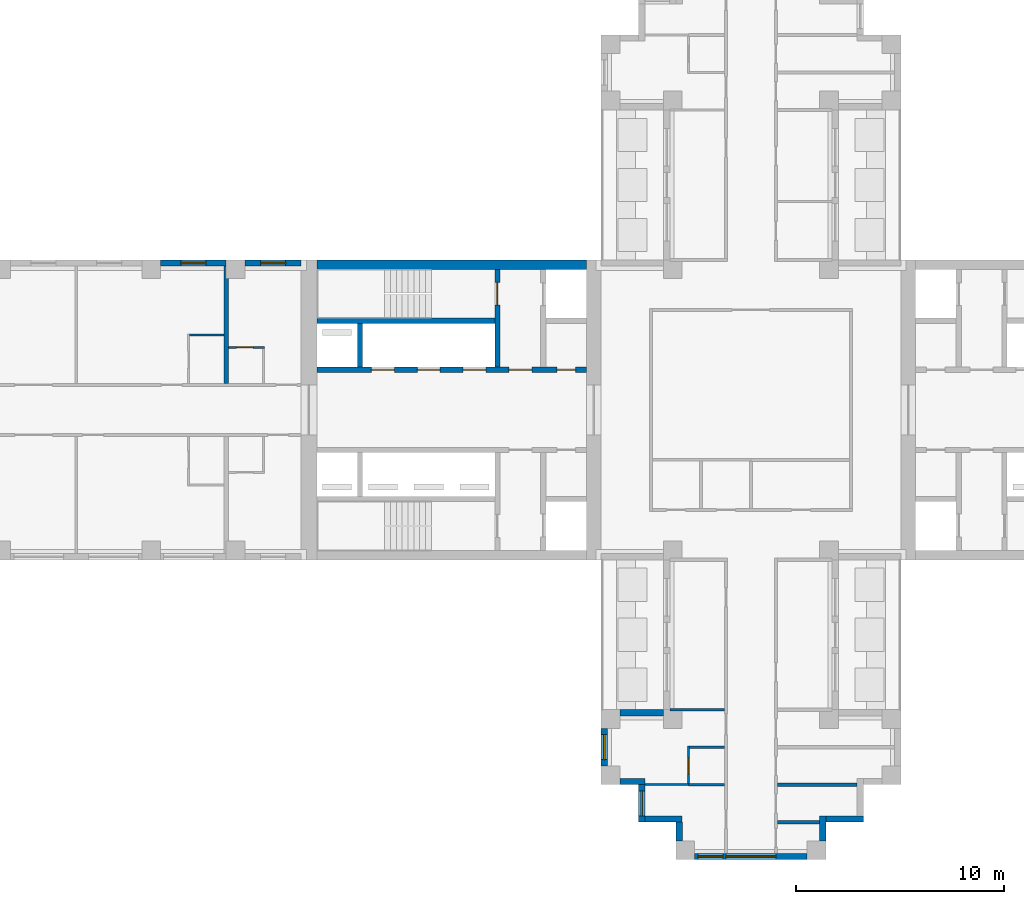
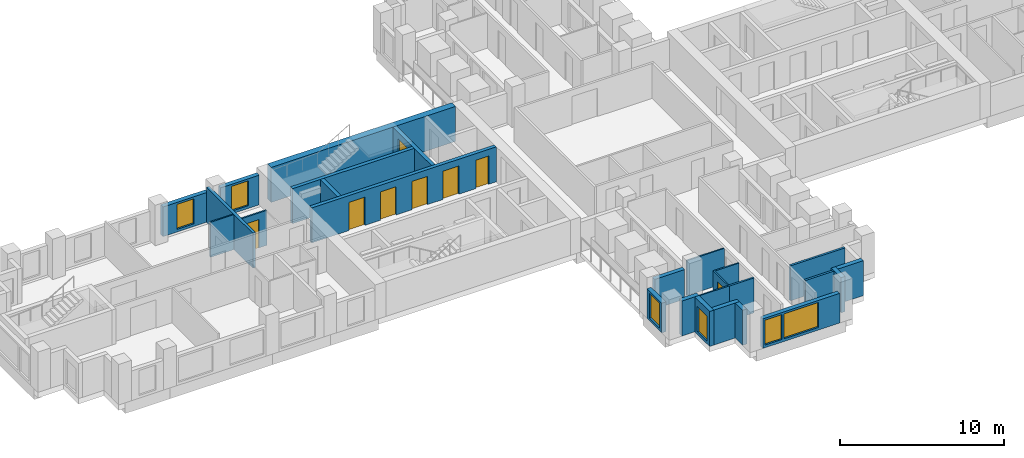
# One storey, part 4 of 11: 26 walls, 8 doors, 6 windows, 14 openings.
"""IFC4 building model written with IfcOpenShell, lengths in metres."""

from ifc_helpers import new_model, si_unit, direction, frame, frame_2d, origin, place, context, subcontext, project, spatial, rectangle, extrude, material, layer, layer_set, type_object, element, fill, save


model = new_model("IFC4")

# Units and contexts
model_context = context("Model", 3, precision=1e-05, world=origin(), true_north=direction((0.0, 1.0)))
body_context = subcontext(model_context, "Body", "Model", "MODEL_VIEW")
ifc_project = project(units=[si_unit("LENGTHUNIT", "METRE"), si_unit("AREAUNIT", "SQUARE_METRE"), si_unit("VOLUMEUNIT", "CUBIC_METRE"), si_unit("PLANEANGLEUNIT", "RADIAN"), si_unit("MASSUNIT", "GRAM", prefix="KILO")], contexts=[model_context])

# Site, building, storey
site_placement = place(None, origin())
site = spatial("IfcSite", under=ifc_project, at=site_placement, CompositionType="ELEMENT")
building_placement = place(site_placement, origin())
building = spatial("IfcBuilding", under=site, at=building_placement, Name="Fustian Cross Tower", CompositionType="ELEMENT")
storey_placement = place(building_placement, frame((0.0, 0.0, 120.300048828125)))
storey = spatial("IfcBuildingStorey", under=building, at=storey_placement, Name="L37", CompositionType="ELEMENT", Elevation=120.300048828125)

# Walls
ifc_material_1 = material(Name="Plasterboard on steel stud", Category="steel")
ifc_layer_1 = layer(ifc_material_1, 0.14990234375)
ifc_layer_set_1 = layer_set([ifc_layer_1], Name="Plasterboard on steel stud")
wall_type_1 = type_object("IfcWallType", Name="COMPARTMENT WALL 150 EI 60", PredefinedType="PARTITIONING", material=ifc_layer_set_1)
wall_1_placement = place(storey_placement, frame((1.27490234375, -19.800048828125, 0.0), z_axis=(0.0, 0.0, 1.0), x_axis=(1.0, 0.0, 0.0)))
element("IfcWall", 1, at=wall_1_placement, inside=storey, type_object=wall_type_1, Name="Partition 37", PredefinedType="PARTITIONING", context=body_context, shape_type="SweptSolid", body=[
    extrude(rectangle(XDim=2.025146484375, YDim=0.14990234375, at=frame_2d((1.0126953125, 0.0))), origin(), (0.0, 0.0, 1.0), 2.599853515625),
])
wall_2_placement = place(storey_placement, frame((1.27490234375, -18.0, 0.0), z_axis=(0.0, 0.0, 1.0), x_axis=(1.0, 0.0, 0.0)))
element("IfcWall", 2, at=wall_2_placement, inside=storey, type_object=wall_type_1, Name="Partition 38", PredefinedType="PARTITIONING", context=body_context, shape_type="SweptSolid", body=[
    extrude(rectangle(XDim=3.8251953125, YDim=0.14990234375, at=frame_2d((1.91259765625, 0.0))), origin(), (0.0, 0.0, 1.0), 2.599853515625),
])
ifc_material_2 = material(Name="Concrete C60/75", Category="concrete")
ifc_layer_2 = layer(ifc_material_2, 0.449951171875)
ifc_layer_set_2 = layer_set([ifc_layer_2], Name="Concrete C60/75")
wall_type_2 = type_object("IfcWallType", Name="CORE FACADE WALL 450 C60/75", PredefinedType="SHEAR", material=ifc_layer_set_2)
wall_3_placement = place(storey_placement, frame((-7.89990234375, 6.97509765625, 0.0), z_axis=(0.0, 0.0, 1.0), x_axis=(-1.0, 0.0, 0.0)))
element("IfcWall", 3, at=wall_3_placement, inside=storey, type_object=wall_type_2, Name="Core facade wall", PredefinedType="SHEAR", context=body_context, shape_type="SweptSolid", body=[
    extrude(rectangle(XDim=12.9501953125, YDim=0.449951171875, at=frame_2d((6.47509765625, 0.0))), origin(), (0.0, 0.0, 1.0), 2.599853515625),
])

# Wall, openings, doors
ifc_material_3 = material(Name="Concrete C50/60", Category="concrete")
ifc_layer_3 = layer(ifc_material_3, 0.25)
ifc_layer_set_3 = layer_set([ifc_layer_3], Name="Concrete C50/60")
wall_type_3 = type_object("IfcWallType", Name="CORE LOBBY WALL 250 C50/60", PredefinedType="SHEAR", material=ifc_layer_set_3)
wall_4_placement = place(storey_placement, frame((-7.89990234375, 1.925048828125, 0.0), z_axis=(0.0, 0.0, 1.0), x_axis=(-1.0, 0.0, 0.0)))
wall_4 = element("IfcWall", 4, at=wall_4_placement, inside=storey, type_object=wall_type_3, Name="Core lobby wall", PredefinedType="SHEAR", context=body_context, shape_type="SweptSolid", body=[
    extrude(rectangle(XDim=12.9501953125, YDim=0.25, at=frame_2d((6.47509765625, 0.0))), origin(), (0.0, 0.0, 1.0), 2.599853515625),
])
opening_1_placement = place(wall_4_placement, frame((4.824951171875, 0.0, 0.0)))
opening_1 = element("IfcOpeningElement", 5, at=opening_1_placement, cuts=wall_4, Name="Opening LD", PredefinedType="OPENING", context=body_context, shape_type="SweptSolid", body=[
    extrude(rectangle(XDim=1.10009765625, YDim=2.10009765625, at=frame_2d((0.550048828125, 1.050048828125))), frame((0.0, 0.135009765625, 0.0), z_axis=(0.0, -1.0, 0.0), x_axis=(1.0, 0.0, 0.0)), (0.0, 0.0, 1.0), 0.27001953125),
])
opening_2_placement = place(wall_4_placement, frame((7.02490234375, 0.0, 0.0)))
opening_2 = element("IfcOpeningElement", 6, at=opening_2_placement, cuts=wall_4, Name="Opening LD", PredefinedType="OPENING", context=body_context, shape_type="SweptSolid", body=[
    extrude(rectangle(XDim=1.10009765625, YDim=2.10009765625, at=frame_2d((0.550048828125, 1.050048828125))), frame((0.0, 0.135009765625, 0.0), z_axis=(0.0, -1.0, 0.0), x_axis=(1.0, 0.0, 0.0)), (0.0, 0.0, 1.0), 0.27001953125),
])
opening_3_placement = place(wall_4_placement, frame((9.22509765625, 0.0, 0.0)))
opening_3 = element("IfcOpeningElement", 7, at=opening_3_placement, cuts=wall_4, Name="Opening LD", PredefinedType="OPENING", context=body_context, shape_type="SweptSolid", body=[
    extrude(rectangle(XDim=1.10009765625, YDim=2.10009765625, at=frame_2d((0.550048828125, 1.050048828125))), frame((0.0, 0.135009765625, 0.0), z_axis=(0.0, -1.0, 0.0), x_axis=(1.0, 0.0, 0.0)), (0.0, 0.0, 1.0), 0.27001953125),
])
opening_4_placement = place(wall_4_placement, frame((0.52490234375, 0.0, 0.0)))
opening_4 = element("IfcOpeningElement", 8, at=opening_4_placement, cuts=wall_4, Name="Opening CD-15-21", PredefinedType="OPENING", context=body_context, shape_type="SweptSolid", body=[
    extrude(rectangle(XDim=0.89990234375, YDim=2.10009765625, at=frame_2d((0.449951171875, 1.050048828125))), frame((0.0, 0.135009765625, 0.0), z_axis=(0.0, -1.0, 0.0), x_axis=(1.0, 0.0, 0.0)), (0.0, 0.0, 1.0), 0.27001953125),
])
opening_5_placement = place(wall_4_placement, frame((2.625, 0.0, 0.0)))
opening_5 = element("IfcOpeningElement", 9, at=opening_5_placement, cuts=wall_4, Name="Opening CD-15-23", PredefinedType="OPENING", context=body_context, shape_type="SweptSolid", body=[
    extrude(rectangle(XDim=1.10009765625, YDim=2.10009765625, at=frame_2d((0.550048828125, 1.050048828125))), frame((0.0, 0.135009765625, 0.0), z_axis=(0.0, -1.0, 0.0), x_axis=(1.0, 0.0, 0.0)), (0.0, 0.0, 1.0), 0.27001953125),
])
ifc_material_4 = material(Name="Steel", Category="steel")
door_type_1 = type_object("IfcDoorType", Name="FIRE DOOR FD60S 1100X2100", OperationType="SINGLE_SWING_LEFT", PredefinedType="DOOR", material=ifc_material_4)
door_1_placement = place(opening_5_placement, frame((1.10009765625, 0.0, 0.0), z_axis=(0.0, 0.0, 1.0), x_axis=(-1.0, 0.0, 0.0)))
door_1 = element("IfcDoor", 10, at=door_1_placement, inside=storey, type_object=door_type_1, Name="Core door CD-15-23", OperationType="SINGLE_SWING_RIGHT", OverallHeight=2.10009765625, OverallWidth=1.10009765625, PredefinedType="DOOR", context=body_context, shape_type="SweptSolid", body=[
    extrude(rectangle(XDim=1.10009765625, YDim=2.10009765625, at=frame_2d((0.550048828125, 1.050048828125))), frame((0.0, 0.02490234375, 0.0), z_axis=(0.0, -1.0, 0.0), x_axis=(1.0, 0.0, 0.0)), (0.0, 0.0, 1.0), 0.050048828125),
])
fill(opening_5, door_1)
ifc_material_5 = material(Name="Steel", Category="steel")
door_type_2 = type_object("IfcDoorType", Name="FIRE DOOR FD60S 900X2100", OperationType="SINGLE_SWING_LEFT", PredefinedType="DOOR", material=ifc_material_5)
door_2_placement = place(opening_4_placement, frame((0.89990234375, 0.0, 0.0), z_axis=(0.0, 0.0, 1.0), x_axis=(-1.0, 0.0, 0.0)))
door_2 = element("IfcDoor", 11, at=door_2_placement, inside=storey, type_object=door_type_2, Name="Core door CD-15-21", OperationType="SINGLE_SWING_RIGHT", OverallHeight=2.10009765625, OverallWidth=0.89990234375, PredefinedType="DOOR", context=body_context, shape_type="SweptSolid", body=[
    extrude(rectangle(XDim=0.89990234375, YDim=2.10009765625, at=frame_2d((0.449951171875, 1.050048828125))), frame((0.0, 0.02490234375, 0.0), z_axis=(0.0, -1.0, 0.0), x_axis=(1.0, 0.0, 0.0)), (0.0, 0.0, 1.0), 0.050048828125),
])
fill(opening_4, door_2)
ifc_material_6 = material(Name="Stainless steel", Category="steel")
door_type_3 = type_object("IfcDoorType", Name="LIFT LANDING DOOR 1100X2100", OperationType="SLIDING_TO_LEFT", PredefinedType="DOOR", material=ifc_material_6)
door_3_placement = place(opening_1_placement, origin())
door_3 = element("IfcDoor", 12, at=door_3_placement, inside=storey, type_object=door_type_3, Name="Landing door HR1W", OperationType="SLIDING_TO_LEFT", OverallHeight=2.10009765625, OverallWidth=1.10009765625, PredefinedType="DOOR", context=body_context, shape_type="SweptSolid", body=[
    extrude(rectangle(XDim=1.10009765625, YDim=2.10009765625, at=frame_2d((0.550048828125, 1.050048828125))), frame((0.0, 0.02490234375, 0.0), z_axis=(0.0, -1.0, 0.0), x_axis=(1.0, 0.0, 0.0)), (0.0, 0.0, 1.0), 0.050048828125),
])
fill(opening_1, door_3)
door_4_placement = place(opening_2_placement, origin())
door_4 = element("IfcDoor", 13, at=door_4_placement, inside=storey, type_object=door_type_3, Name="Landing door HR2W", OperationType="SLIDING_TO_LEFT", OverallHeight=2.10009765625, OverallWidth=1.10009765625, PredefinedType="DOOR", context=body_context, shape_type="SweptSolid", body=[
    extrude(rectangle(XDim=1.10009765625, YDim=2.10009765625, at=frame_2d((0.550048828125, 1.050048828125))), frame((0.0, 0.02490234375, 0.0), z_axis=(0.0, -1.0, 0.0), x_axis=(1.0, 0.0, 0.0)), (0.0, 0.0, 1.0), 0.050048828125),
])
fill(opening_2, door_4)
door_5_placement = place(opening_3_placement, origin())
door_5 = element("IfcDoor", 14, at=door_5_placement, inside=storey, type_object=door_type_3, Name="Landing door HR3W", OperationType="SLIDING_TO_LEFT", OverallHeight=2.10009765625, OverallWidth=1.10009765625, PredefinedType="DOOR", context=body_context, shape_type="SweptSolid", body=[
    extrude(rectangle(XDim=1.10009765625, YDim=2.10009765625, at=frame_2d((0.550048828125, 1.050048828125))), frame((0.0, 0.02490234375, 0.0), z_axis=(0.0, -1.0, 0.0), x_axis=(1.0, 0.0, 0.0)), (0.0, 0.0, 1.0), 0.050048828125),
])
fill(opening_3, door_5)

# Wall
ifc_material_7 = material(Name="Concrete C50/60", Category="concrete")
ifc_layer_4 = layer(ifc_material_7, 0.25)
ifc_layer_set_4 = layer_set([ifc_layer_4], Name="Concrete C50/60")
wall_type_4 = type_object("IfcWallType", Name="CORE SHAFT WALL 250 C50/60", PredefinedType="SHEAR", material=ifc_layer_set_4)
wall_5_placement = place(storey_placement, frame((-12.300048828125, 4.27490234375, 0.0), z_axis=(0.0, 0.0, 1.0), x_axis=(-1.0, 0.0, 0.0)))
element("IfcWall", 15, at=wall_5_placement, inside=storey, type_object=wall_type_4, Name="Core shaft wall", PredefinedType="SHEAR", context=body_context, shape_type="SweptSolid", body=[
    extrude(rectangle(XDim=8.550048828125, YDim=0.25, at=frame_2d((4.27490234375, 0.0))), origin(), (0.0, 0.0, 1.0), 2.599853515625),
])

# Wall, opening, door
wall_6_placement = place(storey_placement, frame((-12.175048828125, 2.050048828125, 0.0), z_axis=(0.0, 0.0, 1.0), x_axis=(0.0, 1.0, 0.0)))
wall_6 = element("IfcWall", 16, at=wall_6_placement, inside=storey, type_object=wall_type_4, Name="Core shaft wall", PredefinedType="SHEAR", context=body_context, shape_type="SweptSolid", body=[
    extrude(rectangle(XDim=4.699951171875, YDim=0.25, at=frame_2d((2.35009765625, 0.0))), origin(), (0.0, 0.0, 1.0), 2.599853515625),
])
opening_6_placement = place(wall_6_placement, frame((2.97509765625, 0.0, 0.0)))
opening_6 = element("IfcOpeningElement", 17, at=opening_6_placement, cuts=wall_6, Name="Opening CD-15-19", PredefinedType="OPENING", context=body_context, shape_type="SweptSolid", body=[
    extrude(rectangle(XDim=1.10009765625, YDim=2.10009765625, at=frame_2d((0.550048828125, 1.050048828125))), frame((0.0, 0.135009765625, 0.0), z_axis=(0.0, -1.0, 0.0), x_axis=(1.0, 0.0, 0.0)), (0.0, 0.0, 1.0), 0.27001953125),
])
door_6_placement = place(opening_6_placement, origin())
door_6 = element("IfcDoor", 18, at=door_6_placement, inside=storey, type_object=door_type_1, Name="Core door CD-15-19", OperationType="SINGLE_SWING_LEFT", OverallHeight=2.10009765625, OverallWidth=1.10009765625, PredefinedType="DOOR", context=body_context, shape_type="SweptSolid", body=[
    extrude(rectangle(XDim=1.10009765625, YDim=2.10009765625, at=frame_2d((0.550048828125, 1.050048828125))), frame((0.0, 0.02490234375, 0.0), z_axis=(0.0, -1.0, 0.0), x_axis=(1.0, 0.0, 0.0)), (0.0, 0.0, 1.0), 0.050048828125),
])
fill(opening_6, door_6)

# Wall
ifc_material_8 = material(Name="Plasterboard on steel stud", Category="steel")
ifc_layer_5 = layer(ifc_material_8, 0.10009765625)
ifc_layer_set_5 = layer_set([ifc_layer_5], Name="Plasterboard on steel stud")
wall_type_5 = type_object("IfcWallType", Name="PARTITION 100 STUD", PredefinedType="PARTITIONING", material=ifc_layer_set_5)
wall_7_placement = place(storey_placement, frame((-26.949951171875, 3.60009765625, 0.0), z_axis=(0.0, 0.0, 1.0), x_axis=(1.0, 0.0, 0.0)))
element("IfcWall", 19, at=wall_7_placement, inside=storey, type_object=wall_type_5, Name="Partition 8", PredefinedType="PARTITIONING", context=body_context, shape_type="SweptSolid", body=[
    extrude(rectangle(XDim=1.64990234375, YDim=0.10009765625, at=frame_2d((0.824951171875, 0.0))), origin(), (0.0, 0.0, 1.0), 2.599853515625),
])

# Wall, opening, door
wall_8_placement = place(storey_placement, frame((-25.10009765625, 3.0, 0.0), z_axis=(0.0, 0.0, 1.0), x_axis=(1.0, 0.0, 0.0)))
wall_8 = element("IfcWall", 20, at=wall_8_placement, inside=storey, type_object=wall_type_5, Name="Partition 12", PredefinedType="PARTITIONING", context=body_context, shape_type="SweptSolid", body=[
    extrude(rectangle(XDim=1.75, YDim=0.10009765625, at=frame_2d((0.875, 0.0))), origin(), (0.0, 0.0, 1.0), 2.599853515625),
])
opening_7_placement = place(wall_8_placement, frame((0.39990234375, 0.0, 0.0)))
opening_7 = element("IfcOpeningElement", 21, at=opening_7_placement, cuts=wall_8, Name="Opening D18028", PredefinedType="OPENING", context=body_context, shape_type="SweptSolid", body=[
    extrude(rectangle(XDim=0.800048828125, YDim=2.10009765625, at=frame_2d((0.39990234375, 1.050048828125))), frame((0.0, 0.06005859375, 0.0), z_axis=(0.0, -1.0, 0.0), x_axis=(1.0, 0.0, 0.0)), (0.0, 0.0, 1.0), 0.1201171875),
])
ifc_material_9 = material(Name="Painted timber", Category="wood")
door_type_4 = type_object("IfcDoorType", Name="SWING DOOR 800", OperationType="SINGLE_SWING_LEFT", PredefinedType="DOOR", material=ifc_material_9)
door_7_placement = place(opening_7_placement, frame((0.800048828125, 0.0, 0.0), z_axis=(0.0, 0.0, 1.0), x_axis=(-1.0, 0.0, 0.0)))
door_7 = element("IfcDoor", 22, at=door_7_placement, inside=storey, type_object=door_type_4, Name="Door D18028", OperationType="SINGLE_SWING_LEFT", OverallHeight=2.10009765625, OverallWidth=0.800048828125, PredefinedType="DOOR", context=body_context, shape_type="SweptSolid", body=[
    extrude(rectangle(XDim=0.800048828125, YDim=2.10009765625, at=frame_2d((0.39990234375, 1.050048828125))), frame((0.0, 0.02490234375, 0.0), z_axis=(0.0, -1.0, 0.0), x_axis=(1.0, 0.0, 0.0)), (0.0, 0.0, 1.0), 0.050048828125),
])
fill(opening_7, door_7)

# Walls
wall_9_placement = place(storey_placement, frame((-5.10009765625, -18.0, 0.0), z_axis=(0.0, 0.0, 1.0), x_axis=(1.0, 0.0, 0.0)))
element("IfcWall", 23, at=wall_9_placement, inside=storey, type_object=wall_type_5, Name="Partition 15", PredefinedType="PARTITIONING", context=body_context, shape_type="SweptSolid", body=[
    extrude(rectangle(XDim=2.10009765625, YDim=0.10009765625, at=frame_2d((1.050048828125, 0.0))), origin(), (0.0, 0.0, 1.0), 2.599853515625),
])
wall_10_placement = place(storey_placement, frame((-3.89990234375, -14.39990234375, 0.0), z_axis=(0.0, 0.0, 1.0), x_axis=(1.0, 0.0, 0.0)))
element("IfcWall", 24, at=wall_10_placement, inside=storey, type_object=wall_type_5, Name="Partition 21", PredefinedType="PARTITIONING", context=body_context, shape_type="SweptSolid", body=[
    extrude(rectangle(XDim=2.625, YDim=0.10009765625, at=frame_2d((1.3125, 0.0))), origin(), (0.0, 0.0, 1.0), 2.599853515625),
])

# Wall, opening, door
wall_11_placement = place(storey_placement, frame((-3.0, -17.9375, 0.0), z_axis=(0.0, 0.0, 1.0), x_axis=(0.0, 1.0, 0.0)))
wall_11 = element("IfcWall", 25, at=wall_11_placement, inside=storey, type_object=wall_type_5, Name="Partition 25", PredefinedType="PARTITIONING", context=body_context, shape_type="SweptSolid", body=[
    extrude(rectangle(XDim=1.78759765625, YDim=0.10009765625, at=frame_2d((0.893798828125, 0.0))), origin(), (0.0, 0.0, 1.0), 2.599853515625),
])
opening_8_placement = place(wall_11_placement, frame((0.4375, 0.0, 0.0)))
opening_8 = element("IfcOpeningElement", 26, at=opening_8_placement, cuts=wall_11, Name="Opening D18039", PredefinedType="OPENING", context=body_context, shape_type="SweptSolid", body=[
    extrude(rectangle(XDim=0.800048828125, YDim=2.10009765625, at=frame_2d((0.39990234375, 1.050048828125))), frame((0.0, 0.06005859375, 0.0), z_axis=(0.0, -1.0, 0.0), x_axis=(1.0, 0.0, 0.0)), (0.0, 0.0, 1.0), 0.1201171875),
])
door_8_placement = place(opening_8_placement, frame((0.800048828125, 0.0, 0.0), z_axis=(0.0, 0.0, 1.0), x_axis=(-1.0, 0.0, 0.0)))
door_8 = element("IfcDoor", 27, at=door_8_placement, inside=storey, type_object=door_type_4, Name="Door D18039", OperationType="SINGLE_SWING_LEFT", OverallHeight=2.10009765625, OverallWidth=0.800048828125, PredefinedType="DOOR", context=body_context, shape_type="SweptSolid", body=[
    extrude(rectangle(XDim=0.800048828125, YDim=2.10009765625, at=frame_2d((0.39990234375, 1.050048828125))), frame((0.0, 0.02490234375, 0.0), z_axis=(0.0, -1.0, 0.0), x_axis=(1.0, 0.0, 0.0)), (0.0, 0.0, 1.0), 0.050048828125),
])
fill(opening_8, door_8)

# Walls
wall_12_placement = place(storey_placement, frame((-2.949951171875, -16.199951171875, 0.0), z_axis=(0.0, 0.0, 1.0), x_axis=(1.0, 0.0, 0.0)))
element("IfcWall", 28, at=wall_12_placement, inside=storey, type_object=wall_type_5, Name="Partition 27", PredefinedType="PARTITIONING", context=body_context, shape_type="SweptSolid", body=[
    extrude(rectangle(XDim=1.675048828125, YDim=0.10009765625, at=frame_2d((0.83740234375, 0.0))), origin(), (0.0, 0.0, 1.0), 2.599853515625),
])
ifc_material_10 = material(Name="Plasterboard on steel stud", Category="steel")
ifc_layer_6 = layer(ifc_material_10, 0.199951171875)
ifc_layer_set_6 = layer_set([ifc_layer_6], Name="Plasterboard on steel stud")
wall_type_6 = type_object("IfcWallType", Name="PARTY WALL 200 EI 60", PredefinedType="PARTITIONING", material=ifc_layer_set_6)
wall_13_placement = place(storey_placement, frame((-25.199951171875, 1.27490234375, 0.0), z_axis=(0.0, 0.0, 1.0), x_axis=(0.0, 1.0, 0.0)))
element("IfcWall", 29, at=wall_13_placement, inside=storey, type_object=wall_type_6, Name="Partition 11", PredefinedType="PARTITIONING", context=body_context, shape_type="SweptSolid", body=[
    extrude(rectangle(XDim=5.625, YDim=0.199951171875, at=frame_2d((2.8125, 0.0))), origin(), (0.0, 0.0, 1.0), 2.599853515625),
])
ifc_material_11 = material(Name="Concrete C40/50", Category="concrete")
ifc_layer_7 = layer(ifc_material_11, 0.25)
ifc_layer_set_7 = layer_set([ifc_layer_7], Name="Concrete C40/50")
wall_type_7 = type_object("IfcWallType", Name="SHAFT PARTITION WALL 250 C40/50", PredefinedType="PARTITIONING", material=ifc_layer_set_7)
wall_14_placement = place(storey_placement, frame((-18.77490234375, 2.050048828125, 0.0), z_axis=(0.0, 0.0, 1.0), x_axis=(0.0, 1.0, 0.0)))
element("IfcWall", 30, at=wall_14_placement, inside=storey, type_object=wall_type_7, Name="Core shaft wall", PredefinedType="PARTITIONING", context=body_context, shape_type="SweptSolid", body=[
    extrude(rectangle(XDim=2.099853515625, YDim=0.25, at=frame_2d((1.0498046875, 0.0))), origin(), (0.0, 0.0, 1.0), 2.599853515625),
])
ifc_material_12 = material(Name="Plasterboard on steel stud", Category="steel")
ifc_layer_8 = layer(ifc_material_12, 0.125)
ifc_layer_set_8 = layer_set([ifc_layer_8], Name="Plasterboard on steel stud")
wall_type_8 = type_object("IfcWallType", Name="WET WALL 125 STUD", PredefinedType="PARTITIONING", material=ifc_layer_set_8)
wall_15_placement = place(storey_placement, frame((-3.0, -18.0, 0.0), z_axis=(0.0, 0.0, 1.0), x_axis=(1.0, 0.0, 0.0)))
element("IfcWall", 31, at=wall_15_placement, inside=storey, type_object=wall_type_8, Name="Partition 26", PredefinedType="PARTITIONING", context=body_context, shape_type="SweptSolid", body=[
    extrude(rectangle(XDim=1.72509765625, YDim=0.125, at=frame_2d((0.862548828125, 0.0))), origin(), (0.0, 0.0, 1.0), 2.599853515625),
])

# Wall, opening, window
ifc_material_13 = material(Name="Dark aluminium cladding on insulated backing wall", Category="aluminium")
ifc_layer_9 = layer(ifc_material_13, 0.300048828125)
ifc_layer_set_9 = layer_set([ifc_layer_9], Name="Dark aluminium cladding on insulated backing wall")
wall_type_9 = type_object("IfcWallType", Name="XW1 EXTERNAL WALL 300", PredefinedType="SOLIDWALL", material=ifc_layer_set_9)
wall_16_placement = place(storey_placement, frame((-21.60009765625, 7.050048828125, 0.0), z_axis=(0.0, 0.0, 1.0), x_axis=(-1.0, 0.0, 0.0)))
wall_16 = element("IfcWall", 32, at=wall_16_placement, inside=storey, type_object=wall_type_9, Name="External wall", PredefinedType="SOLIDWALL", context=body_context, shape_type="SweptSolid", body=[
    extrude(rectangle(XDim=2.699951171875, YDim=0.300048828125, at=frame_2d((1.35009765625, 0.0))), origin(), (0.0, 0.0, 1.0), 2.199951171875),
])
opening_9_placement = place(wall_16_placement, frame((0.75, 0.0, 0.199951171875)))
opening_9 = element("IfcOpeningElement", 33, at=opening_9_placement, cuts=wall_16, Name="Opening WN3", PredefinedType="OPENING", context=body_context, shape_type="SweptSolid", body=[
    extrude(rectangle(XDim=1.199951171875, YDim=1.85009765625, at=frame_2d((0.60009765625, 0.925048828125))), frame((0.0, 0.159912109375, 0.0), z_axis=(0.0, -1.0, 0.0), x_axis=(1.0, 0.0, 0.0)), (0.0, 0.0, 1.0), 0.320068359375),
])
ifc_material_14 = material(Name="Dark anodised aluminium and double glazing", Category="aluminium")
window_type_1 = type_object("IfcWindowType", Name="WN3 WINDOW 1200X1850", PartitioningType="SINGLE_PANEL", PredefinedType="WINDOW", material=ifc_material_14)
window_1_placement = place(opening_9_placement, origin())
window_1 = element("IfcWindow", 34, at=window_1_placement, inside=storey, type_object=window_type_1, Name="Window", OverallHeight=1.85009765625, OverallWidth=1.199951171875, PartitioningType="SINGLE_PANEL", PredefinedType="WINDOW", context=body_context, shape_type="SweptSolid", body=[
    extrude(rectangle(XDim=1.199951171875, YDim=1.85009765625, at=frame_2d((0.60009765625, 0.925048828125))), frame((0.0, 0.030029296875, 0.0), z_axis=(0.0, -1.0, 0.0), x_axis=(1.0, 0.0, 0.0)), (0.0, 0.0, 1.0), 0.06005859375),
])
fill(opening_9, window_1)

wall_17_placement = place(storey_placement, frame((-25.199951171875, 7.050048828125, 0.0), z_axis=(0.0, 0.0, 1.0), x_axis=(-1.0, 0.0, 0.0)))
wall_17 = element("IfcWall", 35, at=wall_17_placement, inside=storey, type_object=wall_type_9, Name="External wall", PredefinedType="SOLIDWALL", context=body_context, shape_type="SweptSolid", body=[
    extrude(rectangle(XDim=3.150146484375, YDim=0.300048828125, at=frame_2d((1.5751953125, 0.0))), origin(), (0.0, 0.0, 1.0), 2.199951171875),
])
opening_10_placement = place(wall_17_placement, frame((0.97509765625, 0.0, 0.199951171875)))
opening_10 = element("IfcOpeningElement", 36, at=opening_10_placement, cuts=wall_17, Name="Opening WN3", PredefinedType="OPENING", context=body_context, shape_type="SweptSolid", body=[
    extrude(rectangle(XDim=1.199951171875, YDim=1.85009765625, at=frame_2d((0.60009765625, 0.925048828125))), frame((0.0, 0.159912109375, 0.0), z_axis=(0.0, -1.0, 0.0), x_axis=(1.0, 0.0, 0.0)), (0.0, 0.0, 1.0), 0.320068359375),
])
window_2_placement = place(opening_10_placement, origin())
window_2 = element("IfcWindow", 37, at=window_2_placement, inside=storey, type_object=window_type_1, Name="Window", OverallHeight=1.85009765625, OverallWidth=1.199951171875, PartitioningType="SINGLE_PANEL", PredefinedType="WINDOW", context=body_context, shape_type="SweptSolid", body=[
    extrude(rectangle(XDim=1.199951171875, YDim=1.85009765625, at=frame_2d((0.60009765625, 0.925048828125))), frame((0.0, 0.030029296875, 0.0), z_axis=(0.0, -1.0, 0.0), x_axis=(1.0, 0.0, 0.0)), (0.0, 0.0, 1.0), 0.06005859375),
])
fill(opening_10, window_2)

# Wall
wall_18_placement = place(storey_placement, frame((-4.199951171875, -14.550048828125, 0.0), z_axis=(0.0, 0.0, 1.0), x_axis=(-1.0, 0.0, 0.0)))
element("IfcWall", 38, at=wall_18_placement, inside=storey, type_object=wall_type_9, Name="External wall", PredefinedType="SOLIDWALL", context=body_context, shape_type="SweptSolid", body=[
    extrude(rectangle(XDim=2.10009765625, YDim=0.300048828125, at=frame_2d((1.050048828125, 0.0))), origin(), (0.0, 0.0, 1.0), 2.199951171875),
])

# Wall, opening, window
wall_19_placement = place(storey_placement, frame((-7.050048828125, -15.300048828125, 0.0), z_axis=(0.0, 0.0, 1.0), x_axis=(0.0, -1.0, 0.0)))
wall_19 = element("IfcWall", 39, at=wall_19_placement, inside=storey, type_object=wall_type_9, Name="External wall", PredefinedType="SOLIDWALL", context=body_context, shape_type="SweptSolid", body=[
    extrude(rectangle(XDim=1.800048828125, YDim=0.300048828125, at=frame_2d((0.89990234375, 0.0))), origin(), (0.0, 0.0, 1.0), 2.199951171875),
])
opening_11_placement = place(wall_19_placement, frame((0.300048828125, 0.0, 0.199951171875)))
opening_11 = element("IfcOpeningElement", 40, at=opening_11_placement, cuts=wall_19, Name="Opening WN3", PredefinedType="OPENING", context=body_context, shape_type="SweptSolid", body=[
    extrude(rectangle(XDim=1.199951171875, YDim=1.85009765625, at=frame_2d((0.60009765625, 0.925048828125))), frame((0.0, 0.159912109375, 0.0), z_axis=(0.0, -1.0, 0.0), x_axis=(1.0, 0.0, 0.0)), (0.0, 0.0, 1.0), 0.320068359375),
])
window_3_placement = place(opening_11_placement, origin())
window_3 = element("IfcWindow", 41, at=window_3_placement, inside=storey, type_object=window_type_1, Name="Window", OverallHeight=1.85009765625, OverallWidth=1.199951171875, PartitioningType="SINGLE_PANEL", PredefinedType="WINDOW", context=body_context, shape_type="SweptSolid", body=[
    extrude(rectangle(XDim=1.199951171875, YDim=1.85009765625, at=frame_2d((0.60009765625, 0.925048828125))), frame((0.0, 0.030029296875, 0.0), z_axis=(0.0, -1.0, 0.0), x_axis=(1.0, 0.0, 0.0)), (0.0, 0.0, 1.0), 0.06005859375),
])
fill(opening_11, window_3)

# Wall
wall_20_placement = place(storey_placement, frame((-6.300048828125, -17.85009765625, 0.0), z_axis=(0.0, 0.0, 1.0), x_axis=(1.0, 0.0, 0.0)))
element("IfcWall", 42, at=wall_20_placement, inside=storey, type_object=wall_type_9, Name="External wall", PredefinedType="SOLIDWALL", context=body_context, shape_type="SweptSolid", body=[
    extrude(rectangle(XDim=1.199951171875, YDim=0.300048828125, at=frame_2d((0.60009765625, 0.0))), origin(), (0.0, 0.0, 1.0), 2.599853515625),
])

# Wall, opening, window
wall_21_placement = place(storey_placement, frame((-5.25, -18.0, 0.0), z_axis=(0.0, 0.0, 1.0), x_axis=(0.0, -1.0, 0.0)))
wall_21 = element("IfcWall", 43, at=wall_21_placement, inside=storey, type_object=wall_type_9, Name="External wall", PredefinedType="SOLIDWALL", context=body_context, shape_type="SweptSolid", body=[
    extrude(rectangle(XDim=1.800048828125, YDim=0.300048828125, at=frame_2d((0.89990234375, 0.0))), origin(), (0.0, 0.0, 1.0), 2.599853515625),
])
opening_12_placement = place(wall_21_placement, frame((0.300048828125, 0.0, 0.199951171875)))
opening_12 = element("IfcOpeningElement", 44, at=opening_12_placement, cuts=wall_21, Name="Opening WN3", PredefinedType="OPENING", context=body_context, shape_type="SweptSolid", body=[
    extrude(rectangle(XDim=1.199951171875, YDim=1.85009765625, at=frame_2d((0.60009765625, 0.925048828125))), frame((0.0, 0.159912109375, 0.0), z_axis=(0.0, -1.0, 0.0), x_axis=(1.0, 0.0, 0.0)), (0.0, 0.0, 1.0), 0.320068359375),
])
window_4_placement = place(opening_12_placement, origin())
window_4 = element("IfcWindow", 45, at=window_4_placement, inside=storey, type_object=window_type_1, Name="Window", OverallHeight=1.85009765625, OverallWidth=1.199951171875, PartitioningType="SINGLE_PANEL", PredefinedType="WINDOW", context=body_context, shape_type="SweptSolid", body=[
    extrude(rectangle(XDim=1.199951171875, YDim=1.85009765625, at=frame_2d((0.60009765625, 0.925048828125))), frame((0.0, 0.030029296875, 0.0), z_axis=(0.0, -1.0, 0.0), x_axis=(1.0, 0.0, 0.0)), (0.0, 0.0, 1.0), 0.06005859375),
])
fill(opening_12, window_4)

# Walls
wall_22_placement = place(storey_placement, frame((-5.10009765625, -19.64990234375, 0.0), z_axis=(0.0, 0.0, 1.0), x_axis=(1.0, 0.0, 0.0)))
element("IfcWall", 46, at=wall_22_placement, inside=storey, type_object=wall_type_9, Name="External wall", PredefinedType="SOLIDWALL", context=body_context, shape_type="SweptSolid", body=[
    extrude(rectangle(XDim=1.800048828125, YDim=0.300048828125, at=frame_2d((0.89990234375, 0.0))), origin(), (0.0, 0.0, 1.0), 2.599853515625),
])
wall_23_placement = place(storey_placement, frame((-3.449951171875, -19.800048828125, 0.0), z_axis=(0.0, 0.0, 1.0), x_axis=(0.0, -1.0, 0.0)))
element("IfcWall", 47, at=wall_23_placement, inside=storey, type_object=wall_type_9, Name="External wall", PredefinedType="SOLIDWALL", context=body_context, shape_type="SweptSolid", body=[
    extrude(rectangle(XDim=0.89990234375, YDim=0.300048828125, at=frame_2d((0.449951171875, 0.0))), origin(), (0.0, 0.0, 1.0), 2.599853515625),
])

# Wall, openings, windows
wall_24_placement = place(storey_placement, frame((-2.699951171875, -21.449951171875, 0.0), z_axis=(0.0, 0.0, 1.0), x_axis=(1.0, 0.0, 0.0)))
wall_24 = element("IfcWall", 48, at=wall_24_placement, inside=storey, type_object=wall_type_9, Name="External wall", PredefinedType="SOLIDWALL", context=body_context, shape_type="SweptSolid", body=[
    extrude(rectangle(XDim=5.39990234375, YDim=0.300048828125, at=frame_2d((2.699951171875, 0.0))), origin(), (0.0, 0.0, 1.0), 2.199951171875),
])
opening_13_placement = place(wall_24_placement, frame((1.5, 0.0, 0.199951171875)))
opening_13 = element("IfcOpeningElement", 49, at=opening_13_placement, cuts=wall_24, Name="Opening WN1", PredefinedType="OPENING", context=body_context, shape_type="SweptSolid", body=[
    extrude(rectangle(XDim=2.39990234375, YDim=1.85009765625, at=frame_2d((1.199951171875, 0.925048828125))), frame((0.0, 0.159912109375, 0.0), z_axis=(0.0, -1.0, 0.0), x_axis=(1.0, 0.0, 0.0)), (0.0, 0.0, 1.0), 0.320068359375),
])
opening_14_placement = place(wall_24_placement, frame((0.14990234375, 0.0, 0.199951171875)))
opening_14 = element("IfcOpeningElement", 50, at=opening_14_placement, cuts=wall_24, Name="Opening WN3", PredefinedType="OPENING", context=body_context, shape_type="SweptSolid", body=[
    extrude(rectangle(XDim=1.199951171875, YDim=1.85009765625, at=frame_2d((0.60009765625, 0.925048828125))), frame((0.0, 0.159912109375, 0.0), z_axis=(0.0, -1.0, 0.0), x_axis=(1.0, 0.0, 0.0)), (0.0, 0.0, 1.0), 0.320068359375),
])
ifc_material_15 = material(Name="Dark anodised aluminium and double glazing", Category="aluminium")
window_type_2 = type_object("IfcWindowType", Name="WN1 WINDOW 2400X1850", PartitioningType="SINGLE_PANEL", PredefinedType="WINDOW", material=ifc_material_15)
window_5_placement = place(opening_13_placement, origin())
window_5 = element("IfcWindow", 51, at=window_5_placement, inside=storey, type_object=window_type_2, Name="Window", OverallHeight=1.85009765625, OverallWidth=2.39990234375, PartitioningType="SINGLE_PANEL", PredefinedType="WINDOW", context=body_context, shape_type="SweptSolid", body=[
    extrude(rectangle(XDim=2.39990234375, YDim=1.85009765625, at=frame_2d((1.199951171875, 0.925048828125))), frame((0.0, 0.030029296875, 0.0), z_axis=(0.0, -1.0, 0.0), x_axis=(1.0, 0.0, 0.0)), (0.0, 0.0, 1.0), 0.06005859375),
])
fill(opening_13, window_5)
window_6_placement = place(opening_14_placement, origin())
window_6 = element("IfcWindow", 52, at=window_6_placement, inside=storey, type_object=window_type_1, Name="Window", OverallHeight=1.85009765625, OverallWidth=1.199951171875, PartitioningType="SINGLE_PANEL", PredefinedType="WINDOW", context=body_context, shape_type="SweptSolid", body=[
    extrude(rectangle(XDim=1.199951171875, YDim=1.85009765625, at=frame_2d((0.60009765625, 0.925048828125))), frame((0.0, 0.030029296875, 0.0), z_axis=(0.0, -1.0, 0.0), x_axis=(1.0, 0.0, 0.0)), (0.0, 0.0, 1.0), 0.06005859375),
])
fill(opening_14, window_6)

# Walls
wall_25_placement = place(storey_placement, frame((3.449951171875, -20.699951171875, 0.0), z_axis=(0.0, 0.0, 1.0), x_axis=(0.0, 1.0, 0.0)))
element("IfcWall", 53, at=wall_25_placement, inside=storey, type_object=wall_type_9, Name="External wall", PredefinedType="SOLIDWALL", context=body_context, shape_type="SweptSolid", body=[
    extrude(rectangle(XDim=1.199951171875, YDim=0.300048828125, at=frame_2d((0.60009765625, 0.0))), origin(), (0.0, 0.0, 1.0), 2.599853515625),
])
wall_26_placement = place(storey_placement, frame((3.60009765625, -19.64990234375, 0.0), z_axis=(0.0, 0.0, 1.0), x_axis=(1.0, 0.0, 0.0)))
element("IfcWall", 54, at=wall_26_placement, inside=storey, type_object=wall_type_9, Name="External wall", PredefinedType="SOLIDWALL", context=body_context, shape_type="SweptSolid", body=[
    extrude(rectangle(XDim=1.7998046875, YDim=0.300048828125, at=frame_2d((0.89990234375, 0.0))), origin(), (0.0, 0.0, 1.0), 2.599853515625),
])

save(model, "model.ifc")
